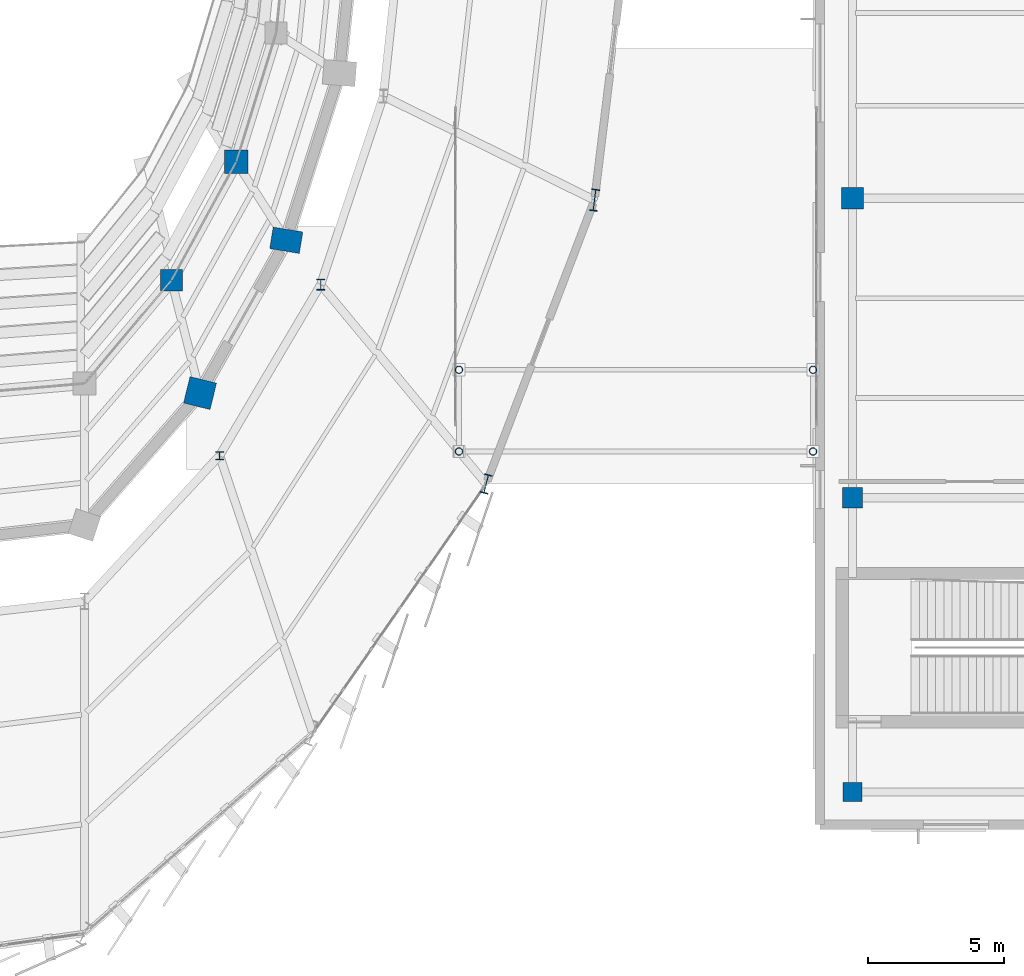
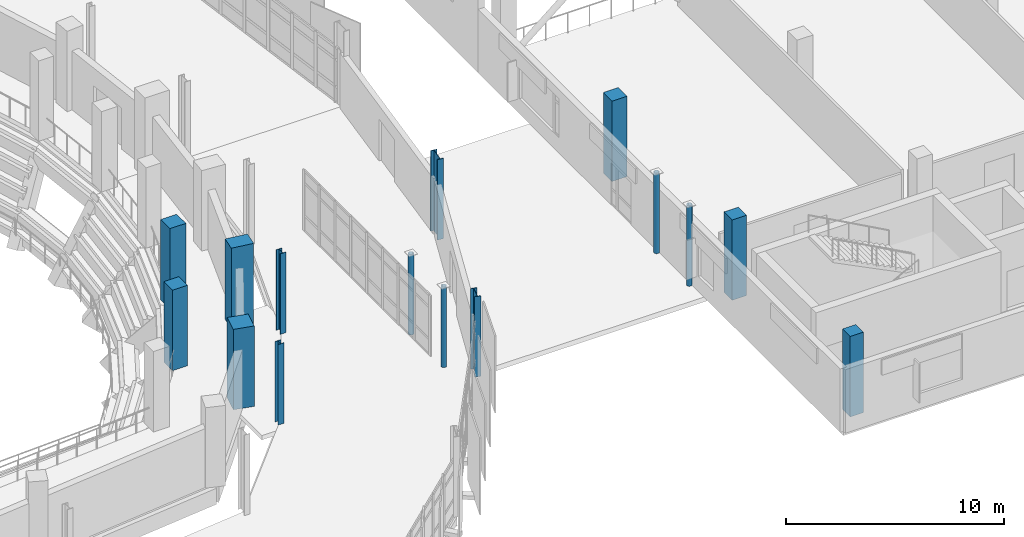
# One storey, part 19 of 134: 15 columns.
"""IFC4 building model written with IfcOpenShell, lengths in metres."""

from ifc_helpers import new_model, si_unit, direction, frame, origin, origin_2d, place, context, subcontext, project, spatial, rectangle, hollow_circle, i_section, extrude, material, material_profile, profile_set, type_object, element, save


model = new_model("IFC4")

# Units and contexts
model_context = context("Model", 3, precision=1e-05, world=origin(), true_north=direction((0.0, 1.0)))
body_context = subcontext(model_context, "Body", "Model", "MODEL_VIEW")
ifc_project = project(units=[si_unit("LENGTHUNIT", "METRE"), si_unit("AREAUNIT", "SQUARE_METRE"), si_unit("VOLUMEUNIT", "CUBIC_METRE"), si_unit("PLANEANGLEUNIT", "RADIAN"), si_unit("MASSUNIT", "GRAM", prefix="KILO")], contexts=[model_context])

# Site, building, storey
site_placement = place(None, origin())
site = spatial("IfcSite", under=ifc_project, at=site_placement, CompositionType="ELEMENT")
building_placement = place(site_placement, origin())
building = spatial("IfcBuilding", under=site, at=building_placement, Name="Sohan Crest Arena", CompositionType="ELEMENT")
storey_placement = place(building_placement, frame((0.0, 0.0, 4.5)))
storey = spatial("IfcBuildingStorey", under=building, at=storey_placement, Name="L01", CompositionType="ELEMENT", Elevation=4.5)

# Columns
ifc_material_1 = material(Name="Concrete C40/50", Category="concrete")
ifc_material_profile_1 = material_profile(ifc_material_1, rectangle(XDim=0.699951171875, YDim=0.699951171875, at=origin_2d()), Name="RC 700x700")
ifc_profile_set_1 = profile_set([ifc_material_profile_1], Name="Concrete C40/50")
column_type_1 = type_object("IfcColumnType", Name="STR-COL-C03", PredefinedType="COLUMN", material=ifc_profile_set_1)
column_1_placement = place(storey_placement, frame((196.199951171875, 45.199951171875, 0.0), z_axis=(0.0, 0.0, 1.0), x_axis=(1.0, 0.0, 0.0)))
element("IfcColumn", 1, at=column_1_placement, inside=storey, type_object=column_type_1, Name="Structural column COL-V4S-11-L01", PredefinedType="COLUMN", context=body_context, shape_type="SweptSolid", body=[
    extrude(rectangle(XDim=0.699951171875, YDim=0.699951171875, at=origin_2d()), origin(), (0.0, 0.0, 1.0), 4.5),
])
ifc_material_profile_2 = material_profile(ifc_material_1, rectangle(XDim=0.75, YDim=0.75, at=origin_2d()), Name="RC 750x750")
ifc_profile_set_2 = profile_set([ifc_material_profile_2], Name="Concrete C40/50")
column_type_2 = type_object("IfcColumnType", Name="STR-COL-C04", PredefinedType="COLUMN", material=ifc_profile_set_2)
column_2_placement = place(storey_placement, frame((196.199951171875, 56.0, 0.0), z_axis=(0.0, 0.0, 1.0), x_axis=(1.0, 0.0, 0.0)))
element("IfcColumn", 2, at=column_2_placement, inside=storey, type_object=column_type_2, Name="Structural column COL-V4S-12-L01", PredefinedType="COLUMN", context=body_context, shape_type="SweptSolid", body=[
    extrude(rectangle(XDim=0.75, YDim=0.75, at=origin_2d()), origin(), (0.0, 0.0, 1.0), 4.5),
])
ifc_material_profile_3 = material_profile(ifc_material_1, rectangle(XDim=0.800048828125, YDim=0.800048828125, at=origin_2d()), Name="RC 800x800")
ifc_profile_set_3 = profile_set([ifc_material_profile_3], Name="Concrete C40/50")
column_type_3 = type_object("IfcColumnType", Name="STR-COL-C05", PredefinedType="COLUMN", material=ifc_profile_set_3)
for number, where, z_axis, x_axis, name in (
    (3, (171.194091796875, 63.988037109375, 0.0), (0.0, 0.0, 1.0), (1.0, 0.0, 0.0), "Structural column COL-V1M-21-L01"),
    (4, (196.199951171875, 67.0, 0.0), (0.0, 0.0, 1.0), (1.0, 0.0, 0.0), "Structural column COL-V4S-13-L01"),
):
    element("IfcColumn", number, at=place(storey_placement, frame(where, z_axis=z_axis, x_axis=x_axis)), inside=storey, type_object=column_type_3, Name=name, PredefinedType="COLUMN", context=body_context, shape_type="SweptSolid", body=[
        extrude(rectangle(XDim=0.800048828125, YDim=0.800048828125, at=origin_2d()), origin(), (0.0, 0.0, 1.0), 4.5),
    ])
ifc_material_profile_4 = material_profile(ifc_material_1, rectangle(XDim=0.85009765625, YDim=0.85009765625, at=origin_2d()), Name="RC 850x850")
ifc_profile_set_4 = profile_set([ifc_material_profile_4], Name="Concrete C40/50")
column_type_4 = type_object("IfcColumnType", Name="STR-COL-C06", PredefinedType="COLUMN", material=ifc_profile_set_4)
column_3_placement = place(storey_placement, frame((173.571044921875, 68.3359375, 0.0), z_axis=(0.0, 0.0, 1.0), x_axis=(1.0, 0.0, 0.0)))
element("IfcColumn", 5, at=column_3_placement, inside=storey, type_object=column_type_4, Name="Structural column COL-V1M-22-L01", PredefinedType="COLUMN", context=body_context, shape_type="SweptSolid", body=[
    extrude(rectangle(XDim=0.85009765625, YDim=0.85009765625, at=origin_2d()), origin(), (0.0, 0.0, 1.0), 4.5),
])
ifc_material_profile_5 = material_profile(ifc_material_1, rectangle(XDim=1.0, YDim=1.0, at=origin_2d()), Name="RC 1000x1000")
ifc_profile_set_5 = profile_set([ifc_material_profile_5], Name="Concrete C40/50")
column_type_5 = type_object("IfcColumnType", Name="STR-COL-C09", PredefinedType="COLUMN", material=ifc_profile_set_5)
column_4_placement = place(storey_placement, frame((172.242919921875, 59.845947265625, 0.0), z_axis=(0.0, 0.0, 1.0), x_axis=(-0.971549119998, 0.236838146066, 0.0)))
element("IfcColumn", 6, at=column_4_placement, inside=storey, type_object=column_type_5, Name="Structural column COL-V1R-21-L01", PredefinedType="COLUMN", context=body_context, shape_type="SweptSolid", body=[
    extrude(rectangle(XDim=1.0, YDim=1.0, at=origin_2d()), origin(), (0.0, 0.0, 1.0), 4.5),
])
ifc_material_profile_6 = material_profile(ifc_material_1, rectangle(XDim=1.10009765625, YDim=0.800048828125, at=origin_2d()), Name="RC 1100x800")
ifc_profile_set_6 = profile_set([ifc_material_profile_6], Name="Concrete C40/50")
column_type_6 = type_object("IfcColumnType", Name="STR-COL-C10", PredefinedType="COLUMN", material=ifc_profile_set_6)
column_5_placement = place(storey_placement, frame((175.408935546875, 65.455078125, 0.0), z_axis=(0.0, 0.0, 1.0), x_axis=(-0.987136265073, 0.159881187692, 0.0)))
element("IfcColumn", 7, at=column_5_placement, inside=storey, type_object=column_type_6, Name="Structural column COL-V1R-22-L01", PredefinedType="COLUMN", context=body_context, shape_type="SweptSolid", body=[
    extrude(rectangle(XDim=1.10009765625, YDim=0.800048828125, at=origin_2d()), origin(), (0.0, 0.0, 1.0), 4.5),
])
ifc_material_2 = material(Name="Steel S355", Category="steel")
ifc_material_profile_7 = material_profile(ifc_material_2, i_section(OverallWidth=0.300048828125, OverallDepth=0.300048828125, WebThickness=0.010986328125, FlangeThickness=0.01904296875, at=origin_2d()), Name="HEB 300")
ifc_profile_set_7 = profile_set([ifc_material_profile_7], Name="Steel S355")
column_type_7 = type_object("IfcColumnType", Name="STR-COL-C17", PredefinedType="COLUMN", material=ifc_profile_set_7)
column_6_placement = place(storey_placement, frame((172.9609375, 57.547119140625, 0.0), z_axis=(0.0, 0.0, 1.0), x_axis=(1.0, 0.0, 0.0)))
element("IfcColumn", 8, at=column_6_placement, inside=storey, type_object=column_type_7, Name="Structural column COL-V2I-21-L01", PredefinedType="COLUMN", context=body_context, shape_type="SweptSolid", body=[
    extrude(i_section(OverallWidth=0.300048828125, OverallDepth=0.300048828125, WebThickness=0.010986328125, FlangeThickness=0.01904296875, at=origin_2d()), origin(), (0.0, 0.0, 1.0), 4.5),
])
ifc_material_profile_8 = material_profile(ifc_material_2, i_section(OverallWidth=0.300048828125, OverallDepth=0.39990234375, WebThickness=0.013427734375, FlangeThickness=0.02392578125, at=origin_2d()), Name="HEB 400")
ifc_profile_set_8 = profile_set([ifc_material_profile_8], Name="Steel S355")
column_type_8 = type_object("IfcColumnType", Name="STR-COL-C18", PredefinedType="COLUMN", material=ifc_profile_set_8)
column_7_placement = place(storey_placement, frame((176.674072265625, 63.824951171875, 0.0), z_axis=(0.0, 0.0, 1.0), x_axis=(1.0, 0.0, 0.0)))
element("IfcColumn", 9, at=column_7_placement, inside=storey, type_object=column_type_8, Name="Structural column COL-V2I-22-L01", PredefinedType="COLUMN", context=body_context, shape_type="SweptSolid", body=[
    extrude(i_section(OverallWidth=0.300048828125, OverallDepth=0.39990234375, WebThickness=0.013427734375, FlangeThickness=0.02392578125, at=origin_2d()), origin(), (0.0, 0.0, 1.0), 4.5),
])
ifc_material_profile_9 = material_profile(ifc_material_2, i_section(OverallWidth=0.300048828125, OverallDepth=0.699951171875, WebThickness=0.01708984375, FlangeThickness=0.031982421875, at=origin_2d()), Name="HEB 700")
ifc_profile_set_9 = profile_set([ifc_material_profile_9], Name="Steel S355")
column_type_9 = type_object("IfcColumnType", Name="STR-COL-C21", PredefinedType="COLUMN", material=ifc_profile_set_9)
column_8_placement = place(storey_placement, frame((182.7490234375, 56.510986328125, 0.0), z_axis=(0.0, 0.0, 1.0), x_axis=(-0.969445349895, 0.245307385879, 0.0)))
element("IfcColumn", 10, at=column_8_placement, inside=storey, type_object=column_type_9, Name="Structural column COL-V2O-22-L01", PredefinedType="COLUMN", context=body_context, shape_type="SweptSolid", body=[
    extrude(i_section(OverallWidth=0.300048828125, OverallDepth=0.699951171875, WebThickness=0.01708984375, FlangeThickness=0.031982421875, at=origin_2d()), origin(), (0.0, 0.0, 1.0), 4.5),
])
ifc_material_profile_10 = material_profile(ifc_material_2, i_section(OverallWidth=0.300048828125, OverallDepth=0.800048828125, WebThickness=0.017578125, FlangeThickness=0.032958984375, at=origin_2d()), Name="HEB 800")
ifc_profile_set_10 = profile_set([ifc_material_profile_10], Name="Steel S355")
column_type_10 = type_object("IfcColumnType", Name="STR-COL-C22", PredefinedType="COLUMN", material=ifc_profile_set_10)
column_9_placement = place(storey_placement, frame((186.72509765625, 66.929931640625, 0.0), z_axis=(0.0, 0.0, 1.0), x_axis=(-0.992331937885, 0.12360147674, 0.0)))
element("IfcColumn", 11, at=column_9_placement, inside=storey, type_object=column_type_10, Name="Structural column COL-V2O-23-L01", PredefinedType="COLUMN", context=body_context, shape_type="SweptSolid", body=[
    extrude(i_section(OverallWidth=0.300048828125, OverallDepth=0.800048828125, WebThickness=0.017578125, FlangeThickness=0.032958984375, at=origin_2d()), origin(), (0.0, 0.0, 1.0), 4.5),
])
ifc_material_profile_11 = material_profile(ifc_material_2, hollow_circle(Radius=0.136474609375, WallThickness=0.012451171875, at=origin_2d()), Name="CHS 273x12.5")
ifc_profile_set_11 = profile_set([ifc_material_profile_11], Name="Steel S355")
column_type_11 = type_object("IfcColumnType", Name="STR-COL-C25", PredefinedType="COLUMN", material=ifc_profile_set_11)
for number, where, z_axis, x_axis, name in (
    (12, (181.75, 57.699951171875, 0.0), (0.0, 0.0, 1.0), (1.0, 0.0, 0.0), "Structural column COL-BC-BR-E1-1-L01"),
    (13, (181.75, 60.699951171875, 0.0), (0.0, 0.0, 1.0), (1.0, 0.0, 0.0), "Structural column COL-BC-BR-E1-2-L01"),
    (14, (194.75, 57.699951171875, 0.0), (0.0, 0.0, 1.0), (1.0, 0.0, 0.0), "Structural column COL-BC-BR-E1-3-L01"),
    (15, (194.75, 60.699951171875, 0.0), (0.0, 0.0, 1.0), (1.0, 0.0, 0.0), "Structural column COL-BC-BR-E1-4-L01"),
):
    element("IfcColumn", number, at=place(storey_placement, frame(where, z_axis=z_axis, x_axis=x_axis)), inside=storey, type_object=column_type_11, Name=name, PredefinedType="COLUMN", context=body_context, shape_type="SweptSolid", body=[
        extrude(hollow_circle(Radius=0.136474609375, WallThickness=0.012451171875, at=origin_2d()), origin(), (0.0, 0.0, 1.0), 4.5),
    ])

save(model, "model.ifc")
